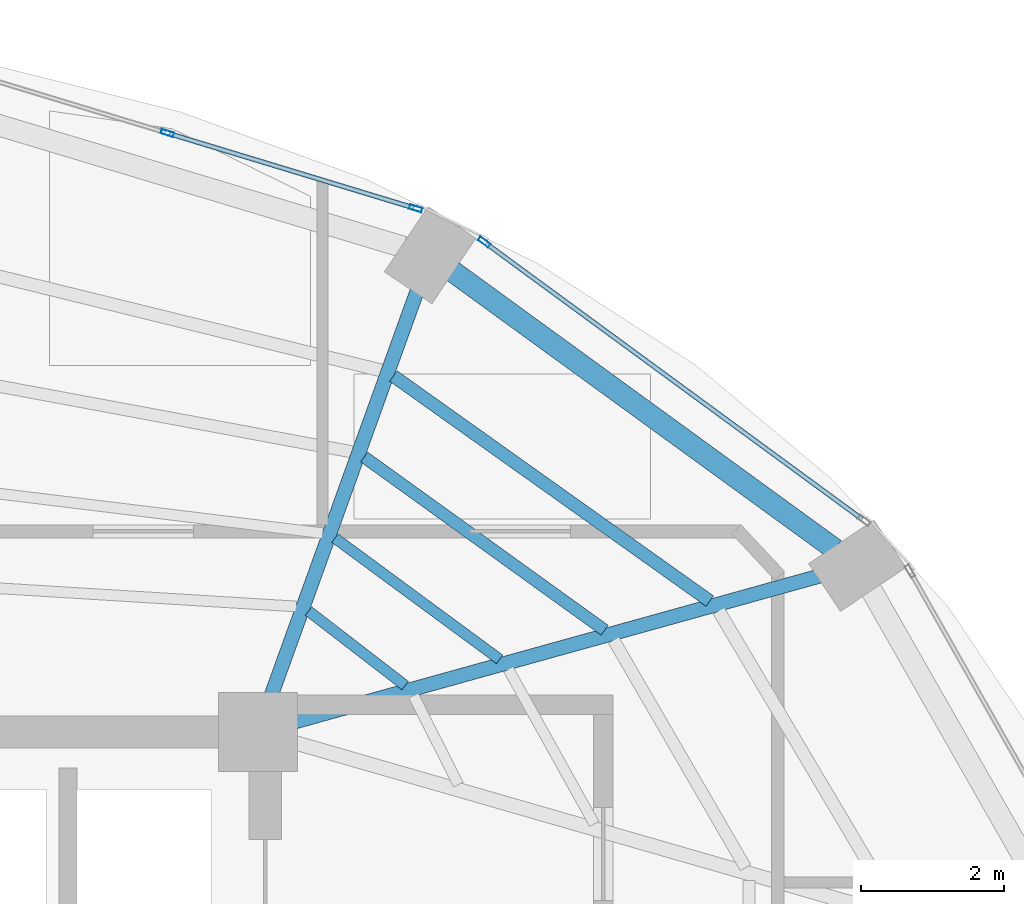
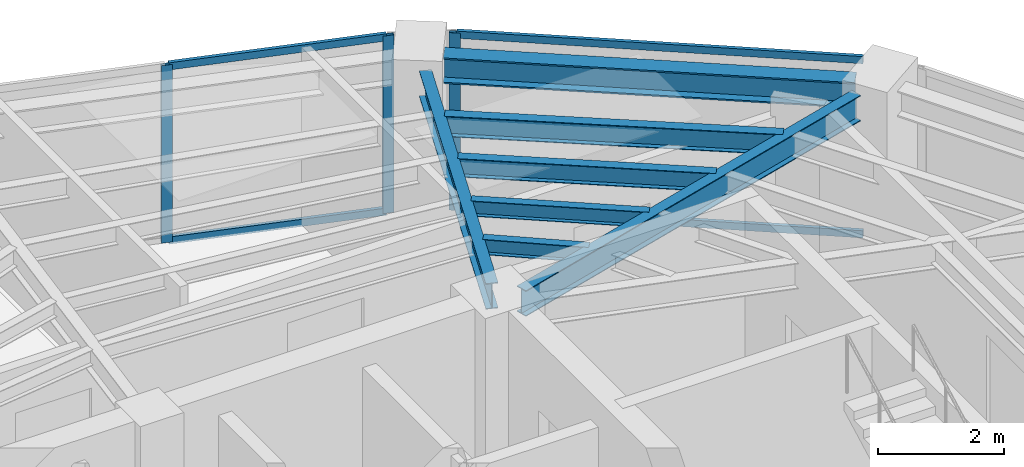
# One storey, part 4 of 13: 7 beams, 7 members, 2 elements without a shape of their own.
"""IFC4 building model written with IfcOpenShell, lengths in metres."""

import ifcopenshell
import ifcopenshell.guid

model = None  # the IFC model being written
_history = None  # IfcOwnerHistory: only IFC2X3 demands one
_inside = {}  # id of a spatial element -> (the spatial element, [elements in it])
_under = {}  # id of a project, library or spatial element -> (it, [spatial elements below it])
_declared = {}  # id of a project -> (the project, [libraries it declares])
_typed = {}  # id of a type object -> (the type object, [elements of that type])
_made_of = {}  # id of a material, layer set ... -> (it, [elements and type objects made of it])


def new_model(schema):
    """Start an empty IFC model of exactly this schema.

    Asked for "IFC4X3", IfcOpenShell would pick the latest addendum, in which some entities
    have other attributes; the version numbers below select the first issue.
    IFC2X3 requires an IfcOwnerHistory on every rooted entity: one is made here for all.
    """
    global model, _history
    if schema == "IFC4X3":
        model = ifcopenshell.file(schema_version=(4, 3, 0, 0))
    else:
        model = ifcopenshell.file(schema=schema)
    _inside.clear()
    _under.clear()
    _declared.clear()
    _typed.clear()
    _made_of.clear()
    _history = None
    if model.schema == "IFC2X3":
        org = make("IfcOrganization", Name="unknown")
        user = make(
            "IfcPersonAndOrganization",
            ThePerson=make("IfcPerson", FamilyName="unknown"),
            TheOrganization=org,
        )
        app = make(
            "IfcApplication",
            ApplicationDeveloper=org,
            Version="unknown",
            ApplicationFullName="unknown",
            ApplicationIdentifier="unknown",
        )
        _history = make(
            "IfcOwnerHistory",
            OwningUser=user,
            OwningApplication=app,
            ChangeAction="ADDED",
            CreationDate=0,
        )
    return model


def make(cls, **values):
    """One entity of the class cls with the attributes given. An attribute that is None is left unset."""
    return model.create_entity(
        cls, **{name: value for name, value in values.items() if value is not None}
    )


def rooted(cls, **values):
    """An entity with a GlobalId (a new one), such as an element, a storey or a relation."""
    return make(cls, GlobalId=ifcopenshell.guid.new(), OwnerHistory=_history, **values)


def si_unit(unit_type, name, prefix=None):
    """IfcSIUnit, for example si_unit("LENGTHUNIT", "METRE", prefix="MILLI")."""
    return make("IfcSIUnit", UnitType=unit_type, Prefix=prefix, Name=name)


def assignment(units):
    """IfcUnitAssignment: the units of a project."""
    return None if units is None else make("IfcUnitAssignment", Units=units)


def point(xyz):
    """IfcCartesianPoint."""
    return None if xyz is None else make("IfcCartesianPoint", Coordinates=xyz)


def direction(xyz):
    """IfcDirection."""
    return None if xyz is None else make("IfcDirection", DirectionRatios=xyz)


def frame(location, z_axis=None, x_axis=None):
    """IfcAxis2Placement3D, a coordinate frame: its origin and axes. An axis left out is left unset."""
    return make(
        "IfcAxis2Placement3D",
        Location=point(location),
        Axis=direction(z_axis),
        RefDirection=direction(x_axis),
    )


def frame_2d(location, x_axis=None):
    """IfcAxis2Placement2D, a coordinate frame in the plane: its origin and x axis."""
    return make(
        "IfcAxis2Placement2D", Location=point(location), RefDirection=direction(x_axis)
    )


def origin():
    """The frame at (0, 0, 0) with its axes left unset."""
    return frame((0.0, 0.0, 0.0))


def origin_2d():
    """The frame at (0, 0) in the plane with its x axis left unset."""
    return frame_2d((0.0, 0.0))


def place(relative_to, where):
    """IfcLocalPlacement: puts the frame where relative to a parent placement (None: the world)."""
    return make(
        "IfcLocalPlacement", PlacementRelTo=relative_to, RelativePlacement=where
    )


def context(
    kind, dimensions, precision=None, world=None, true_north=None, identifier=None
):
    """IfcGeometricRepresentationContext, for example the 3D "Model" context."""
    return make(
        "IfcGeometricRepresentationContext",
        ContextIdentifier=identifier,
        ContextType=kind,
        CoordinateSpaceDimension=dimensions,
        Precision=precision,
        WorldCoordinateSystem=world,
        TrueNorth=true_north,
    )


def subcontext(parent, identifier, kind, view, scale=None):
    """IfcGeometricRepresentationSubContext, for example "Body" below "Model"."""
    return make(
        "IfcGeometricRepresentationSubContext",
        ContextIdentifier=identifier,
        ContextType=kind,
        ParentContext=parent,
        TargetScale=scale,
        TargetView=view,
    )


def project(units=None, contexts=None):
    """IfcProject with its units and contexts."""
    return rooted(
        "IfcProject",
        Name="project",
        RepresentationContexts=contexts,
        UnitsInContext=assignment(units),
    )


def spatial(cls, under=None, at=None, **own):
    """A site, building, storey or space (cls), placed at a placement, below another one or the project."""
    s = rooted(cls, ObjectPlacement=at, **own)
    if under is not None:
        _under.setdefault(under.id(), (under, []))[1].append(s)
    return s


def profile(cls, at=None, kind="AREA", **sizes):
    """A parametric profile (cls). Its sizes go by their IFC names, for example OverallWidth=200.0."""
    return make(cls, ProfileType=kind, Position=at, **sizes)


def hollow_rectangle(**sizes):
    """IfcRectangleHollowProfileDef."""
    return profile("IfcRectangleHollowProfileDef", **sizes)


def i_section(**sizes):
    """IfcIShapeProfileDef."""
    return profile("IfcIShapeProfileDef", **sizes)


def extrude(swept, where, along, depth):
    """IfcExtrudedAreaSolid: the profile swept, set in the frame where, extruded along a direction by depth."""
    return make(
        "IfcExtrudedAreaSolid",
        SweptArea=swept,
        Position=where,
        ExtrudedDirection=direction(along),
        Depth=depth,
    )


def shape(context_of_items, identifier, shape_type, items):
    """IfcShapeRepresentation: the items that make up one representation, for example the "Body"."""
    return make(
        "IfcShapeRepresentation",
        ContextOfItems=context_of_items,
        RepresentationIdentifier=identifier,
        RepresentationType=shape_type,
        Items=items,
    )


def material(Name=None, Category=None):
    """IfcMaterial."""
    return make("IfcMaterial", Name=Name, Category=Category)


def layer(
    of_material, thickness, ventilated=None, Name=None, Category=None, Priority=None
):
    """IfcMaterialLayer: one layer of a wall or slab, of a material (None: an air gap)."""
    return make(
        "IfcMaterialLayer",
        Material=of_material,
        LayerThickness=thickness,
        IsVentilated=ventilated,
        Name=Name,
        Category=Category,
        Priority=Priority,
    )


def layer_set(layers, Name=None):
    """IfcMaterialLayerSet."""
    return make("IfcMaterialLayerSet", MaterialLayers=layers, LayerSetName=Name)


def material_profile(
    of_material, cross_section, Name=None, Category=None, Priority=None
):
    """IfcMaterialProfile: a cross section and its material."""
    return make(
        "IfcMaterialProfile",
        Name=Name,
        Material=of_material,
        Profile=cross_section,
        Priority=Priority,
        Category=Category,
    )


def profile_set(profiles, Name=None, composite=None):
    """IfcMaterialProfileSet."""
    return make(
        "IfcMaterialProfileSet",
        Name=Name,
        MaterialProfiles=profiles,
        CompositeProfile=composite,
    )


def made_of(thing, what):
    """Note that an element or type object is made of a material, layer set ...; save() writes the relation."""
    if what is not None:
        _made_of.setdefault(what.id(), (what, []))[1].append(thing)
    return thing


def type_object(cls, material=None, **own):
    """A type object (cls), such as IfcWallType, which elements share."""
    return made_of(rooted(cls, **own), material)


def element(
    cls,
    number,
    at=None,
    inside=None,
    cuts=None,
    type_object=None,
    material=None,
    context=None,
    identifier="Body",
    shape_type=None,
    held_by="IfcProductDefinitionShape",
    body=None,
    shapes=None,
    **own,
):
    """One element of the class cls, such as IfcWall. Its Tag is "e" and its number.

    at: its placement. inside: the storey or other place that contains it. cuts: it is an
    opening in that element (IfcRelVoidsElement). A single representation is given by context,
    identifier, shape_type and body (its items); several are given by shapes. held_by: the class
    of the entity that holds the representations. save() writes the other relations.
    """
    e = rooted(cls, Tag="e%d" % number, ObjectPlacement=at, **own)
    if body is not None:
        shapes = [shape(context, identifier, shape_type, body)]
    if shapes is not None:
        e.Representation = make(held_by, Representations=shapes)
    if inside is not None:
        _inside.setdefault(inside.id(), (inside, []))[1].append(e)
    if cuts is not None:
        rooted(
            "IfcRelVoidsElement", RelatingBuildingElement=cuts, RelatedOpeningElement=e
        )
    if type_object is not None:
        _typed.setdefault(type_object.id(), (type_object, []))[1].append(e)
    return made_of(e, material)


def aggregate(whole, parts):
    """IfcRelAggregates: a whole, such as a stair, and the parts it consists of."""
    return rooted("IfcRelAggregates", RelatingObject=whole, RelatedObjects=parts)


def save(model, path):
    """Write the relations noted so far, then the file.

    IfcRelAggregates (storeys below a building ...), IfcRelContainedInSpatialStructure (elements
    in a storey), IfcRelDefinesByType, IfcRelAssociatesMaterial and IfcRelDeclares: one each for
    every whole, place, type object, material and project.
    """
    for whole, parts in _under.values():
        aggregate(whole, parts)
    for where, things in _inside.values():
        rooted(
            "IfcRelContainedInSpatialStructure",
            RelatedElements=things,
            RelatingStructure=where,
        )
    for kind, things in _typed.values():
        rooted("IfcRelDefinesByType", RelatedObjects=things, RelatingType=kind)
    for what, things in _made_of.values():
        rooted("IfcRelAssociatesMaterial", RelatedObjects=things, RelatingMaterial=what)
    for by, libraries in _declared.values():
        rooted("IfcRelDeclares", RelatingContext=by, RelatedDefinitions=libraries)
    model.write(path)


model = new_model("IFC4")

# Units and contexts
model_context = context("Model", 3, precision=1e-05, world=origin(), true_north=direction((0.0, 1.0)))
body_context = subcontext(model_context, "Body", "Model", "MODEL_VIEW")
ifc_project = project(units=[si_unit("LENGTHUNIT", "METRE"), si_unit("AREAUNIT", "SQUARE_METRE"), si_unit("VOLUMEUNIT", "CUBIC_METRE"), si_unit("PLANEANGLEUNIT", "RADIAN"), si_unit("MASSUNIT", "GRAM", prefix="KILO")], contexts=[model_context])

# Site, building, storey
site_placement = place(None, origin())
site = spatial("IfcSite", under=ifc_project, at=site_placement, CompositionType="ELEMENT")
building_placement = place(site_placement, origin())
building = spatial("IfcBuilding", under=site, at=building_placement, Name="Lazwardi Medical Tower", CompositionType="ELEMENT")
storey_placement = place(building_placement, frame((0.0, 0.0, 273.263916015625)))
storey = spatial("IfcBuildingStorey", under=building, at=storey_placement, Name="L71", CompositionType="ELEMENT", Elevation=273.263916015625)

# Beams
ifc_material_1 = material(Name="Steel S355", Category="steel")
ifc_material_profile_1 = material_profile(ifc_material_1, i_section(OverallWidth=0.300048828125, OverallDepth=0.5, WebThickness=0.014404296875, FlangeThickness=0.028076171875, at=origin_2d()), Name="HEB 500")
ifc_profile_set_1 = profile_set([ifc_material_profile_1], Name="Steel S355")
beam_type_1 = type_object("IfcBeamType", Name="BM-RB-Z4", PredefinedType="BEAM", material=ifc_profile_set_1)
beam_1_placement = place(storey_placement, frame((53.644287109375, 38.15185546875, 3.197998046875), z_axis=(-0.808889916254, 0.587960120571, 0.0), x_axis=(-0.587960120571, -0.808889916254, 0.0)))
element("IfcBeam", 1, at=beam_1_placement, inside=storey, type_object=beam_type_1, Name="Ring beam RB-05 B06 L71", PredefinedType="BEAM", context=body_context, shape_type="SweptSolid", body=[
    extrude(i_section(OverallWidth=0.300048828125, OverallDepth=0.5, WebThickness=0.014404296875, FlangeThickness=0.028076171875, at=origin_2d()), origin(), (0.0, 0.0, 1.0), 6.587158203125),
])
ifc_material_profile_2 = material_profile(ifc_material_1, i_section(OverallWidth=0.199951171875, OverallDepth=0.5, WebThickness=0.01025390625, FlangeThickness=0.01611328125, at=origin_2d()), Name="IPE 500")
ifc_profile_set_2 = profile_set([ifc_material_profile_2], Name="Steel S355")
beam_type_2 = type_object("IfcBeamType", Name="BM-RG-W3", PredefinedType="BEAM", material=ifc_profile_set_2)
beam_2_placement = place(storey_placement, frame((53.444091796875, 37.779296875, 3.197998046875), z_axis=(-0.963504112843, -0.267693527254, 0.0), x_axis=(0.267693527254, -0.963504112843, 0.0)))
element("IfcBeam", 2, at=beam_2_placement, inside=storey, type_object=beam_type_2, Name="Radial girder RG-04 R06 L71", PredefinedType="BEAM", context=body_context, shape_type="SweptSolid", body=[
    extrude(i_section(OverallWidth=0.199951171875, OverallDepth=0.5, WebThickness=0.01025390625, FlangeThickness=0.01611328125, at=origin_2d()), origin(), (0.0, 0.0, 1.0), 7.606201171875),
])
beam_3_placement = place(storey_placement, frame((47.81884765625, 41.750732421875, 3.197998046875), z_axis=(-0.339348661818, -0.940660664492, 0.0), x_axis=(0.940660664492, -0.339348661818, 0.0)))
element("IfcBeam", 3, at=beam_3_placement, inside=storey, type_object=beam_type_2, Name="Radial girder RG-04 R07 L71", PredefinedType="BEAM", context=body_context, shape_type="SweptSolid", body=[
    extrude(i_section(OverallWidth=0.199951171875, OverallDepth=0.5, WebThickness=0.01025390625, FlangeThickness=0.01611328125, at=origin_2d()), origin(), (0.0, 0.0, 1.0), 6.003662109375),
])
ifc_material_profile_3 = material_profile(ifc_material_1, i_section(OverallWidth=0.179931640625, OverallDepth=0.39990234375, WebThickness=0.008544921875, FlangeThickness=0.013427734375, at=origin_2d()), Name="IPE 400")
ifc_profile_set_3 = profile_set([ifc_material_profile_3], Name="Steel S355")
beam_type_3 = type_object("IfcBeamType", Name="BM-SJ-01", PredefinedType="JOIST", material=ifc_profile_set_3)
beam_4_placement = place(storey_placement, frame((51.901123046875, 37.42724609375, 3.248046875), z_axis=(-0.814846949116, 0.579676159176, 0.0), x_axis=(-0.579676159176, -0.814846949116, 0.0)))
element("IfcBeam", 4, at=beam_4_placement, inside=storey, type_object=beam_type_3, Name="Secondary joist SJ-01 R1 B06 L71", PredefinedType="JOIST", context=body_context, shape_type="SweptSolid", body=[
    extrude(i_section(OverallWidth=0.179931640625, OverallDepth=0.39990234375, WebThickness=0.008544921875, FlangeThickness=0.013427734375, at=origin_2d()), origin(), (0.0, 0.0, 1.0), 5.4150390625),
])
ifc_material_profile_4 = material_profile(ifc_material_1, i_section(OverallWidth=0.169921875, OverallDepth=0.360107421875, WebThickness=0.008056640625, FlangeThickness=0.0126953125, at=origin_2d()), Name="IPE 360")
ifc_profile_set_4 = profile_set([ifc_material_profile_4], Name="Steel S355")
beam_type_4 = type_object("IfcBeamType", Name="BM-SJ-02", PredefinedType="JOIST", material=ifc_profile_set_4)
beam_5_placement = place(storey_placement, frame((50.435546875, 37.0205078125, 3.26806640625), z_axis=(-0.811472726235, 0.58439029302, 0.0), x_axis=(-0.58439029302, -0.811472726235, 0.0)))
element("IfcBeam", 5, at=beam_5_placement, inside=storey, type_object=beam_type_4, Name="Secondary joist SJ-02 R2 B06 L71", PredefinedType="JOIST", context=body_context, shape_type="SweptSolid", body=[
    extrude(i_section(OverallWidth=0.169921875, OverallDepth=0.360107421875, WebThickness=0.008056640625, FlangeThickness=0.0126953125, at=origin_2d()), origin(), (0.0, 0.0, 1.0), 4.1337890625),
])
ifc_material_profile_5 = material_profile(ifc_material_1, i_section(OverallWidth=0.14990234375, OverallDepth=0.300048828125, WebThickness=0.007080078125, FlangeThickness=0.0107421875, at=origin_2d()), Name="IPE 300")
ifc_profile_set_5 = profile_set([ifc_material_profile_5], Name="Steel S355")
beam_type_5 = type_object("IfcBeamType", Name="BM-SJ-03", PredefinedType="JOIST", material=ifc_profile_set_5)
beam_6_placement = place(storey_placement, frame((48.970458984375, 36.614013671875, 3.298095703125), z_axis=(-0.805236450776, 0.592953841662, 0.0), x_axis=(-0.592953841662, -0.805236450776, 0.0)))
element("IfcBeam", 6, at=beam_6_placement, inside=storey, type_object=beam_type_5, Name="Secondary joist SJ-03 R3 B06 L71", PredefinedType="JOIST", context=body_context, shape_type="SweptSolid", body=[
    extrude(i_section(OverallWidth=0.14990234375, OverallDepth=0.300048828125, WebThickness=0.007080078125, FlangeThickness=0.0107421875, at=origin_2d()), origin(), (0.0, 0.0, 1.0), 2.853271484375),
])
beam_7_placement = place(storey_placement, frame((47.652587890625, 36.2490234375, 3.298095703125), z_axis=(-0.792010197197, 0.610507860339, 0.0), x_axis=(-0.610507860339, -0.792010197197, 0.0)))
element("IfcBeam", 7, at=beam_7_placement, inside=storey, type_object=beam_type_5, Name="Secondary joist SJ-03 R4 B06 L71", PredefinedType="JOIST", context=body_context, shape_type="SweptSolid", body=[
    extrude(i_section(OverallWidth=0.14990234375, OverallDepth=0.300048828125, WebThickness=0.007080078125, FlangeThickness=0.0107421875, at=origin_2d()), origin(), (0.0, 0.0, 1.0), 1.70166015625),
])

# Curtain wall, member
ifc_material_2 = material(Name="Anodised bronze aluminium and solar control glazing", Category="aluminium")
ifc_layer = layer(ifc_material_2, 0.18994140625)
ifc_layer_set = layer_set([ifc_layer], Name="Anodised bronze aluminium and solar control glazing")
curtain_wall_type = type_object("IfcCurtainWallType", Name="CW-SYS-04", PredefinedType="NOTDEFINED", material=ifc_layer_set)
curtain_wall_1_placement = place(storey_placement, origin())
curtain_wall_1 = element("IfcCurtainWall", 8, at=curtain_wall_1_placement, inside=storey, type_object=curtain_wall_type, Name="L71 Unitised bronze curtain wall CW-04", PredefinedType="NOTDEFINED")
ifc_material_3 = material(Name="Anodised bronze aluminium", Category="aluminium")
ifc_material_profile_6 = material_profile(ifc_material_3, hollow_rectangle(XDim=0.06494140625, YDim=0.179931640625, WallThickness=0.00390625, at=origin_2d()), Name="ALU-MULLION 180x65x4")
ifc_profile_set_6 = profile_set([ifc_material_profile_6], Name="Anodised bronze aluminium")
member_type_1 = type_object("IfcMemberType", Name="CW-MUL-03", PredefinedType="MULLION", material=ifc_profile_set_6)
member_1_placement = place(storey_placement, frame((48.75537109375, 42.434814453125, 0.0), z_axis=(0.0, 0.0, 1.0), x_axis=(-0.591268230971, -0.806474971121, 0.0)))
member_1 = element("IfcMember", 9, at=member_1_placement, type_object=member_type_1, Name="CW-04 mullion 2", PredefinedType="MULLION", context=body_context, shape_type="SweptSolid", body=[
    extrude(hollow_rectangle(XDim=0.06494140625, YDim=0.179931640625, WallThickness=0.00390625, at=origin_2d()), origin(), (0.0, 0.0, 1.0), 3.447998046875),
])

# Curtain wall, members
curtain_wall_2_placement = place(storey_placement, origin())
curtain_wall_2 = element("IfcCurtainWall", 10, at=curtain_wall_2_placement, inside=storey, type_object=curtain_wall_type, Name="L71 Unitised bronze curtain wall CW-04", PredefinedType="NOTDEFINED")
member_2_placement = place(storey_placement, frame((47.7998046875, 42.903564453125, 0.0), z_axis=(0.0, 0.0, 1.0), x_axis=(-0.290581889515, -0.956850126972, 0.0)))
member_2 = element("IfcMember", 11, at=member_2_placement, type_object=member_type_1, Name="CW-04 mullion 1", PredefinedType="MULLION", context=body_context, shape_type="SweptSolid", body=[
    extrude(hollow_rectangle(XDim=0.06494140625, YDim=0.179931640625, WallThickness=0.00390625, at=origin_2d()), origin(), (0.0, 0.0, 1.0), 3.447998046875),
])
member_3_placement = place(storey_placement, frame((44.33642578125, 43.955322265625, 0.0), z_axis=(0.0, 0.0, 1.0), x_axis=(-0.290581889515, -0.956850126972, 0.0)))
member_3 = element("IfcMember", 12, at=member_3_placement, type_object=member_type_1, Name="CW-04 mullion 2", PredefinedType="MULLION", context=body_context, shape_type="SweptSolid", body=[
    extrude(hollow_rectangle(XDim=0.06494140625, YDim=0.179931640625, WallThickness=0.00390625, at=origin_2d()), origin(), (0.0, 0.0, 1.0), 3.447998046875),
])

# Member
ifc_material_profile_7 = material_profile(ifc_material_3, hollow_rectangle(XDim=0.06494140625, YDim=0.139892578125, WallThickness=0.00341796875, at=origin_2d()), Name="ALU-TRANSOM 140x65x3.5")
ifc_profile_set_7 = profile_set([ifc_material_profile_7], Name="Anodised bronze aluminium")
member_type_2 = type_object("IfcMemberType", Name="CW-TRN-03", PredefinedType="USERDEFINED", material=ifc_profile_set_7)
member_4_placement = place(storey_placement, frame((54.02587890625, 38.57080078125, 0.032470703125), z_axis=(-0.806471831148, 0.591272513791, 0.0), x_axis=(-0.591272513791, -0.806471831148, 0.0)))
member_4 = element("IfcMember", 13, at=member_4_placement, type_object=member_type_2, Name="CW-04 transom 1.1", ObjectType="TRANSOM", PredefinedType="USERDEFINED", context=body_context, shape_type="SweptSolid", body=[
    extrude(hollow_rectangle(XDim=0.06494140625, YDim=0.139892578125, WallThickness=0.00341796875, at=origin_2d()), origin(), (0.0, 0.0, 1.0), 6.5029296875),
])

member_5_placement = place(storey_placement, frame((54.02587890625, 38.57080078125, 3.41552734375), z_axis=(-0.806471831148, 0.591272513791, 0.0), x_axis=(-0.591272513791, -0.806471831148, 0.0)))
member_5 = element("IfcMember", 14, at=member_5_placement, type_object=member_type_2, Name="CW-04 transom 1.2", ObjectType="TRANSOM", PredefinedType="USERDEFINED", context=body_context, shape_type="SweptSolid", body=[
    extrude(hollow_rectangle(XDim=0.06494140625, YDim=0.139892578125, WallThickness=0.00341796875, at=origin_2d()), origin(), (0.0, 0.0, 1.0), 6.5029296875),
])

aggregate(curtain_wall_1, [member_1, member_4, member_5])

member_6_placement = place(storey_placement, frame((47.7685546875, 42.9130859375, 0.032470703125), z_axis=(-0.956862505902, 0.290541124109, 0.0), x_axis=(-0.290541124109, -0.956862505902, 0.0)))
member_6 = element("IfcMember", 15, at=member_6_placement, type_object=member_type_2, Name="CW-04 transom 1.1", ObjectType="TRANSOM", PredefinedType="USERDEFINED", context=body_context, shape_type="SweptSolid", body=[
    extrude(hollow_rectangle(XDim=0.06494140625, YDim=0.139892578125, WallThickness=0.00341796875, at=origin_2d()), origin(), (0.0, 0.0, 1.0), 3.554443359375),
])

member_7_placement = place(storey_placement, frame((47.7685546875, 42.9130859375, 3.41552734375), z_axis=(-0.956862505902, 0.290541124109, 0.0), x_axis=(-0.290541124109, -0.956862505902, 0.0)))
member_7 = element("IfcMember", 16, at=member_7_placement, type_object=member_type_2, Name="CW-04 transom 1.2", ObjectType="TRANSOM", PredefinedType="USERDEFINED", context=body_context, shape_type="SweptSolid", body=[
    extrude(hollow_rectangle(XDim=0.06494140625, YDim=0.139892578125, WallThickness=0.00341796875, at=origin_2d()), origin(), (0.0, 0.0, 1.0), 3.554443359375),
])

aggregate(curtain_wall_2, [member_2, member_3, member_6, member_7])

save(model, "model.ifc")
